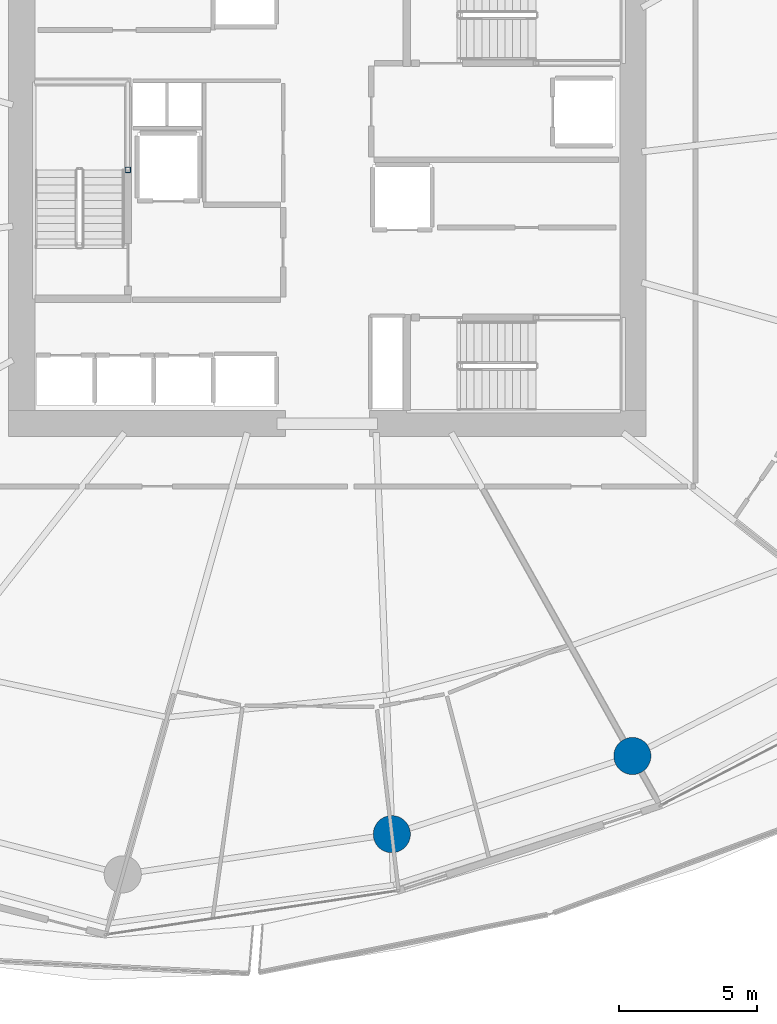
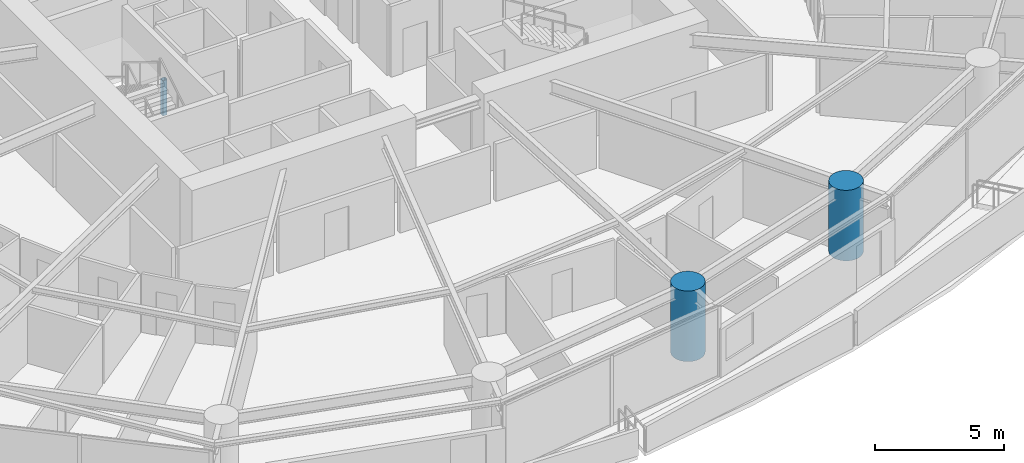
# One storey, part 2 of 31: 3 columns.
"""IFC4 building model written with IfcOpenShell, lengths in metres."""

from ifc_helpers import new_model, si_unit, direction, frame, origin, origin_2d, place, context, subcontext, project, spatial, hollow_rectangle, circle, extrude, material, material_profile, profile_set, type_object, element, save


model = new_model("IFC4")

# Units and contexts
model_context = context("Model", 3, precision=1e-05, world=origin(), true_north=direction((0.0, 1.0)))
body_context = subcontext(model_context, "Body", "Model", "MODEL_VIEW")
ifc_project = project(units=[si_unit("LENGTHUNIT", "METRE"), si_unit("AREAUNIT", "SQUARE_METRE"), si_unit("VOLUMEUNIT", "CUBIC_METRE"), si_unit("PLANEANGLEUNIT", "RADIAN"), si_unit("MASSUNIT", "GRAM", prefix="KILO")], contexts=[model_context])

# Site, building, storey
site_placement = place(None, origin())
site = spatial("IfcSite", under=ifc_project, at=site_placement, CompositionType="ELEMENT")
building_placement = place(site_placement, origin())
building = spatial("IfcBuilding", under=site, at=building_placement, Name="Kazma Halo Residences", CompositionType="ELEMENT")
storey_placement = place(building_placement, frame((0.0, 0.0, 67.64990234375)))
storey = spatial("IfcBuildingStorey", under=building, at=storey_placement, Name="L16", CompositionType="ELEMENT", Elevation=67.64990234375)

# Columns
ifc_material_1 = material(Name="Steel S355", Category="steel")
ifc_material_profile_1 = material_profile(ifc_material_1, hollow_rectangle(XDim=0.199951171875, YDim=0.199951171875, WallThickness=0.010009765625, InnerFilletRadius=0.010009765625, OuterFilletRadius=0.02001953125, at=origin_2d()), Name="SHS200x200x10")
ifc_profile_set_1 = profile_set([ifc_material_profile_1], Name="Steel S355")
column_type_1 = type_object("IfcColumnType", Name="COL-LP-SHS200", PredefinedType="COLUMN", material=ifc_profile_set_1)
column_placement = place(storey_placement, frame((41.179931640625, 42.75, 0.0), z_axis=(0.0, 0.0, 1.0), x_axis=(1.0, 0.0, 0.0)))
element("IfcColumn", 1, at=column_placement, inside=storey, type_object=column_type_1, Name="L16 ST-01 landing pilaster 1", PredefinedType="COLUMN", context=body_context, shape_type="SweptSolid", body=[
    extrude(hollow_rectangle(XDim=0.199951171875, YDim=0.199951171875, WallThickness=0.010009765625, InnerFilletRadius=0.010009765625, OuterFilletRadius=0.02001953125, at=origin_2d()), origin(), (0.0, 0.0, 1.0), 1.670166015625),
])
ifc_material_2 = material(Name="Concrete C80/95", Category="concrete")
ifc_material_profile_2 = material_profile(ifc_material_2, circle(Radius=0.675048828125, at=origin_2d()), Name="CIRC1350")
ifc_profile_set_2 = profile_set([ifc_material_profile_2], Name="Concrete C80/95")
column_type_2 = type_object("IfcColumnType", Name="COL-PERIM-1350", PredefinedType="COLUMN", material=ifc_profile_set_2)
for number, where, z_axis, x_axis, name in (
    (2, (50.768310546875, 18.610595703125, 0.0), (0.0, 0.0, 1.0), (1.0, 0.0, 0.0), "L16 perimeter ring column P12"),
    (3, (59.50830078125, 21.450439453125, 0.0), (0.0, 0.0, 1.0), (1.0, 0.0, 0.0), "L16 perimeter ring column P13"),
):
    element("IfcColumn", number, at=place(storey_placement, frame(where, z_axis=z_axis, x_axis=x_axis)), inside=storey, type_object=column_type_2, Name=name, PredefinedType="COLUMN", context=body_context, shape_type="SweptSolid", body=[
        extrude(circle(Radius=0.675048828125, at=origin_2d()), origin(), (0.0, 0.0, 1.0), 3.35009765625),
    ])

save(model, "model.ifc")
